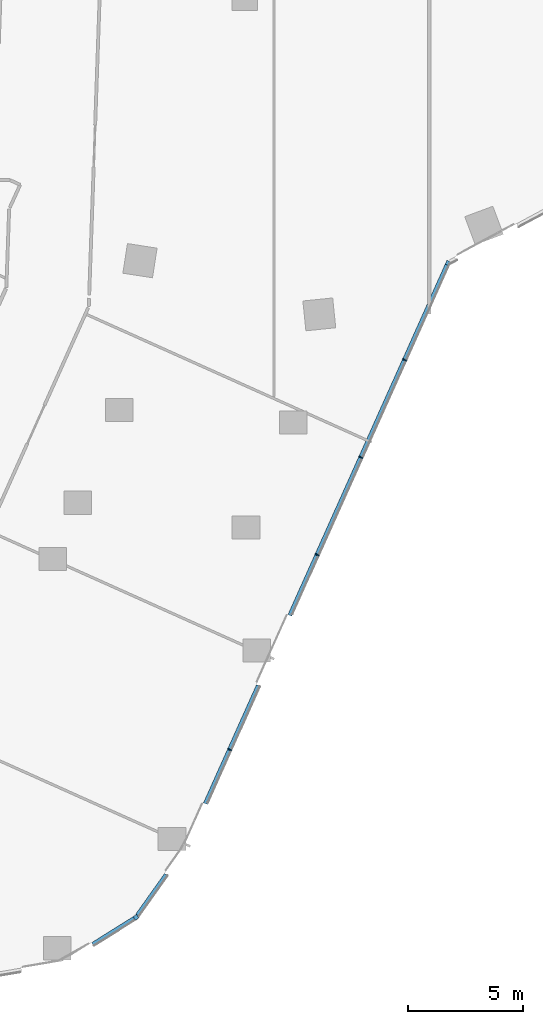
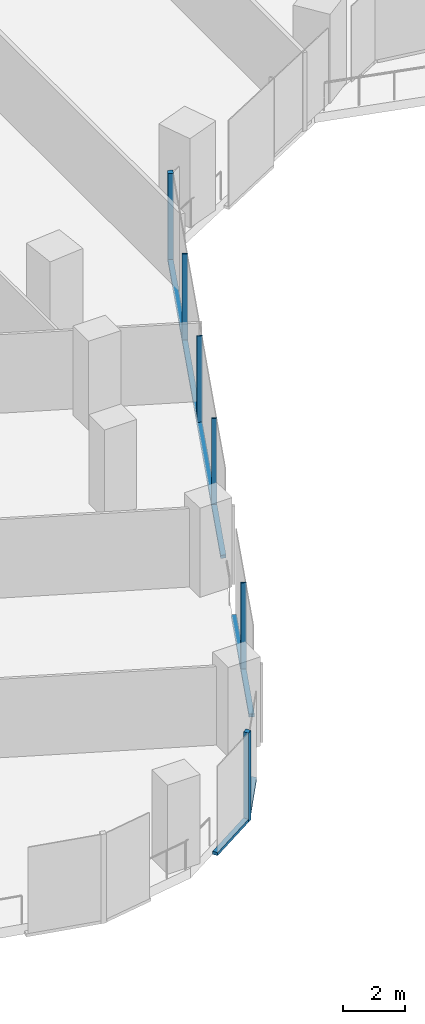
# One storey, part 4 of 32: 10 members, 3 elements without a shape of their own.
"""IFC4 building model written with IfcOpenShell, lengths in metres."""

from ifc_helpers import new_model, si_unit, direction, frame, origin, origin_2d, place, context, subcontext, project, spatial, rectangle, extrude, material, material_profile, profile_set, type_object, element, aggregate, save


model = new_model("IFC4")

# Units and contexts
model_context = context("Model", 3, precision=1e-05, world=origin(), true_north=direction((0.0, 1.0)))
body_context = subcontext(model_context, "Body", "Model", "MODEL_VIEW")
ifc_project = project(units=[si_unit("LENGTHUNIT", "METRE"), si_unit("AREAUNIT", "SQUARE_METRE"), si_unit("VOLUMEUNIT", "CUBIC_METRE"), si_unit("PLANEANGLEUNIT", "RADIAN"), si_unit("MASSUNIT", "GRAM", prefix="KILO")], contexts=[model_context])

# Site, building, storey
site_placement = place(None, origin())
site = spatial("IfcSite", under=ifc_project, at=site_placement, CompositionType="ELEMENT")
building_placement = place(site_placement, origin())
building = spatial("IfcBuilding", under=site, at=building_placement, Name="Orlundy Tower", CompositionType="ELEMENT")
storey_placement = place(building_placement, frame((0.0, 0.0, 123.699951171875)))
storey = spatial("IfcBuildingStorey", under=building, at=storey_placement, Name="L31", CompositionType="ELEMENT", Elevation=123.699951171875)

# Curtain wall, member
ifc_material_1 = material(Name="Aluminium bronze anodised", Category="aluminium")
curtain_wall_type = type_object("IfcCurtainWallType", Name="CW1 wall", PredefinedType="NOTDEFINED", material=ifc_material_1)
curtain_wall_1_placement = place(storey_placement, origin())
curtain_wall_1 = element("IfcCurtainWall", 1, at=curtain_wall_1_placement, inside=storey, type_object=curtain_wall_type, Name="CW1 run 018", PredefinedType="NOTDEFINED")
ifc_material_2 = material(Name="Aluminium bronze anodised", Category="aluminium")
ifc_material_profile_1 = material_profile(ifc_material_2, rectangle(XDim=0.179931640625, YDim=0.179931640625, at=origin_2d()), Name="CW1 corner post 180x180")
ifc_profile_set_1 = profile_set([ifc_material_profile_1], Name="Aluminium bronze anodised")
member_type_1 = type_object("IfcMemberType", Name="CW1 corner post 180x180", PredefinedType="MULLION", material=ifc_profile_set_1)
member_1_placement = place(storey_placement, frame((8.8125, -29.433837890625, -0.39990234375), z_axis=(0.0, 0.0, 1.0), x_axis=(0.912352676112, -0.409405171428, 0.0)))
member_1 = element("IfcMember", 2, at=member_1_placement, type_object=member_type_1, Name="CW1 mullion 51", PredefinedType="MULLION", context=body_context, shape_type="SweptSolid", body=[
    extrude(rectangle(XDim=0.179931640625, YDim=0.179931640625, at=origin_2d()), origin(), (0.0, 0.0, 1.0), 3.5),
])

curtain_wall_2_placement = place(storey_placement, origin())
curtain_wall_2 = element("IfcCurtainWall", 3, at=curtain_wall_2_placement, inside=storey, type_object=curtain_wall_type, Name="CW1 run 020", PredefinedType="NOTDEFINED")
member_2_placement = place(storey_placement, frame((-4.717041015625, -57.8056640625, -0.39990234375), z_axis=(0.0, 0.0, 1.0), x_axis=(0.531138080086, -0.847285276564, 0.0)))
member_2 = element("IfcMember", 4, at=member_2_placement, type_object=member_type_1, Name="CW1 mullion 58", PredefinedType="MULLION", context=body_context, shape_type="SweptSolid", body=[
    extrude(rectangle(XDim=0.179931640625, YDim=0.179931640625, at=origin_2d()), origin(), (0.0, 0.0, 1.0), 3.5),
])

# Member
ifc_material_3 = material(Name="Aluminium bronze anodised", Category="aluminium")
ifc_material_profile_2 = material_profile(ifc_material_3, rectangle(XDim=0.179931640625, YDim=0.050048828125, at=origin_2d()), Name="CW1 mullion 50x180")
ifc_profile_set_2 = profile_set([ifc_material_profile_2], Name="Aluminium bronze anodised")
member_type_2 = type_object("IfcMemberType", Name="CW1 mullion 50x180", PredefinedType="MULLION", material=ifc_profile_set_2)
member_3_placement = place(storey_placement, frame((6.92919921875, -33.630615234375, -0.39990234375), z_axis=(0.0, 0.0, 1.0), x_axis=(0.912352676112, -0.409405171428, 0.0)))
member_3 = element("IfcMember", 5, at=member_3_placement, type_object=member_type_2, Name="CW1 mullion 52", PredefinedType="MULLION", context=body_context, shape_type="SweptSolid", body=[
    extrude(rectangle(XDim=0.179931640625, YDim=0.050048828125, at=origin_2d()), origin(), (0.0, 0.0, 1.0), 3.5),
])

member_4_placement = place(storey_placement, frame((5.033447265625, -37.85546875, -0.39990234375), z_axis=(0.0, 0.0, 1.0), x_axis=(0.912352676112, -0.409405171428, 0.0)))
member_4 = element("IfcMember", 6, at=member_4_placement, type_object=member_type_2, Name="CW1 mullion 53", PredefinedType="MULLION", context=body_context, shape_type="SweptSolid", body=[
    extrude(rectangle(XDim=0.179931640625, YDim=0.050048828125, at=origin_2d()), origin(), (0.0, 0.0, 1.0), 3.5),
])

member_5_placement = place(storey_placement, frame((3.1376953125, -42.080322265625, -0.39990234375), z_axis=(0.0, 0.0, 1.0), x_axis=(0.912352676112, -0.409405171428, 0.0)))
member_5 = element("IfcMember", 7, at=member_5_placement, type_object=member_type_2, Name="CW1 mullion 54", PredefinedType="MULLION", context=body_context, shape_type="SweptSolid", body=[
    extrude(rectangle(XDim=0.179931640625, YDim=0.050048828125, at=origin_2d()), origin(), (0.0, 0.0, 1.0), 3.5),
])

member_6_placement = place(storey_placement, frame((-0.654052734375, -50.530029296875, -0.39990234375), z_axis=(0.0, 0.0, 1.0), x_axis=(0.912352676112, -0.409405171428, 0.0)))
member_6 = element("IfcMember", 8, at=member_6_placement, type_object=member_type_2, Name="CW1 mullion 56", PredefinedType="MULLION", context=body_context, shape_type="SweptSolid", body=[
    extrude(rectangle(XDim=0.179931640625, YDim=0.050048828125, at=origin_2d()), origin(), (0.0, 0.0, 1.0), 3.5),
])

ifc_material_4 = material(Name="Aluminium bronze anodised", Category="aluminium")
ifc_material_profile_3 = material_profile(ifc_material_4, rectangle(XDim=0.179931640625, YDim=0.1201171875, at=origin_2d()), Name="CW1 transom 180x120")
ifc_profile_set_3 = profile_set([ifc_material_profile_3], Name="Aluminium bronze anodised")
member_type_3 = type_object("IfcMemberType", Name="CW1 transom 180x120", PredefinedType="USERDEFINED", material=ifc_profile_set_3)
member_7_placement = place(storey_placement, frame((8.77587890625, -29.515869140625, -0.33984375), z_axis=(-0.409415352021, -0.912348107649, 0.0), x_axis=(0.912348107649, -0.409415352021, 0.0)))
member_7 = element("IfcMember", 9, at=member_7_placement, type_object=member_type_3, Name="CW1 transom", ObjectType="TRANSOM", PredefinedType="USERDEFINED", context=body_context, shape_type="SweptSolid", body=[
    extrude(rectangle(XDim=0.179931640625, YDim=0.1201171875, at=origin_2d()), origin(), (0.0, 0.0, 1.0), 16.6533203125),
])

member_8_placement = place(storey_placement, frame((0.59228515625, -47.752685546875, -0.33984375), z_axis=(-0.409421908783, -0.912345165279, 0.0), x_axis=(0.912345165279, -0.409421908783, 0.0)))
member_8 = element("IfcMember", 10, at=member_8_placement, type_object=member_type_3, Name="CW1 transom", ObjectType="TRANSOM", PredefinedType="USERDEFINED", context=body_context, shape_type="SweptSolid", body=[
    extrude(rectangle(XDim=0.179931640625, YDim=0.1201171875, at=origin_2d()), origin(), (0.0, 0.0, 1.0), 5.611328125),
])

aggregate(curtain_wall_1, [member_1, member_3, member_4, member_5, member_6, member_7, member_8])

# Curtain wall, member
curtain_wall_3_placement = place(storey_placement, origin())
curtain_wall_3 = element("IfcCurtainWall", 11, at=curtain_wall_3_placement, inside=storey, type_object=curtain_wall_type, Name="CW1 run 019", PredefinedType="NOTDEFINED")
member_9_placement = place(storey_placement, frame((-3.39892578125, -55.951904296875, -0.33984375), z_axis=(-0.579497306907, -0.814974153754, 0.0), x_axis=(0.814974153754, -0.579497306907, 0.0)))
member_9 = element("IfcMember", 12, at=member_9_placement, type_object=member_type_3, Name="CW1 transom", ObjectType="TRANSOM", PredefinedType="USERDEFINED", context=body_context, shape_type="SweptSolid", body=[
    extrude(rectangle(XDim=0.179931640625, YDim=0.1201171875, at=origin_2d()), origin(), (0.0, 0.0, 1.0), 2.17724609375),
])
aggregate(curtain_wall_3, [member_9])

# Member
member_10_placement = place(storey_placement, frame((-4.793212890625, -57.853515625, -0.33984375), z_axis=(-0.847297167882, -0.531119110276, 0.0), x_axis=(0.531119110276, -0.847297167882, 0.0)))
member_10 = element("IfcMember", 13, at=member_10_placement, type_object=member_type_3, Name="CW1 transom", ObjectType="TRANSOM", PredefinedType="USERDEFINED", context=body_context, shape_type="SweptSolid", body=[
    extrude(rectangle(XDim=0.179931640625, YDim=0.1201171875, at=origin_2d()), origin(), (0.0, 0.0, 1.0), 2.114990234375),
])

aggregate(curtain_wall_2, [member_2, member_10])

save(model, "model.ifc")
